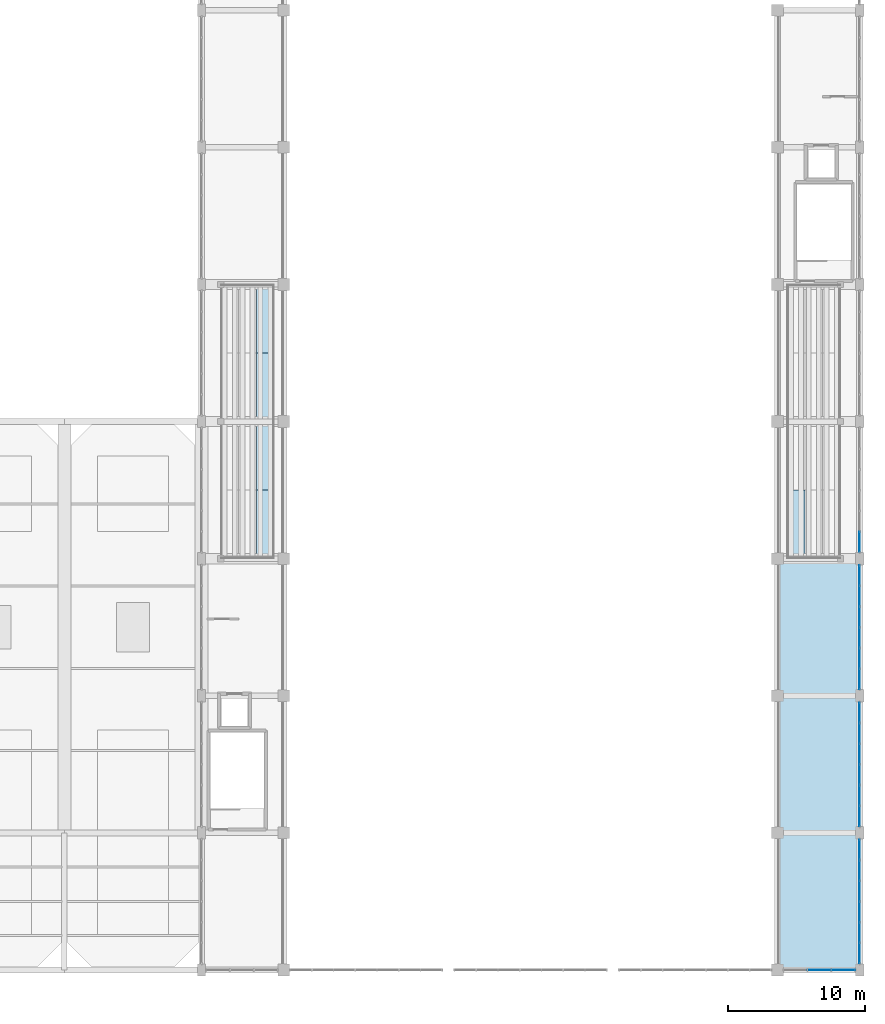
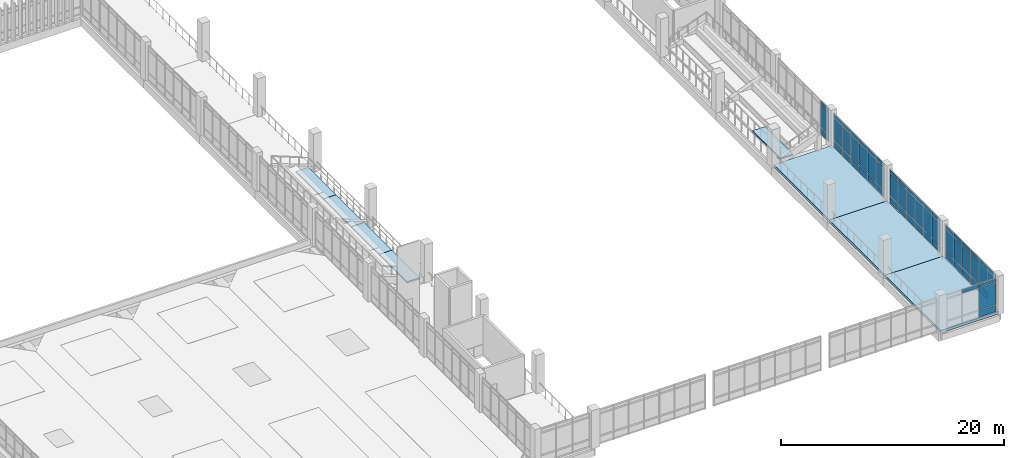
# One storey, part 137 of 161: 61 plates, 8 slabs, 5 elements without a shape of their own.
"""IFC4 building model written with IfcOpenShell, lengths in metres."""

from ifc_helpers import new_model, si_unit, direction, frame, origin, origin_2d, place, context, subcontext, project, spatial, polyline, rectangle, outline, extrude, material, layer, layer_set, type_object, element, aggregate, save


model = new_model("IFC4")

# Units and contexts
model_context = context("Model", 3, precision=1e-05, world=origin(), true_north=direction((0.0, 1.0)))
body_context = subcontext(model_context, "Body", "Model", "MODEL_VIEW")
ifc_project = project(units=[si_unit("LENGTHUNIT", "METRE"), si_unit("AREAUNIT", "SQUARE_METRE"), si_unit("VOLUMEUNIT", "CUBIC_METRE"), si_unit("PLANEANGLEUNIT", "RADIAN"), si_unit("MASSUNIT", "GRAM", prefix="KILO")], contexts=[model_context])

# Site, building, storey
site_placement = place(None, origin())
site = spatial("IfcSite", under=ifc_project, at=site_placement, CompositionType="ELEMENT")
building_placement = place(site_placement, origin())
building = spatial("IfcBuilding", under=site, at=building_placement, Name="Mersad Railyard Sports Hall", CompositionType="ELEMENT")
storey_placement = place(building_placement, frame((0.0, 0.0, 4.800048828125)))
storey = spatial("IfcBuildingStorey", under=building, at=storey_placement, Name="L01", CompositionType="ELEMENT", Elevation=4.800048828125)

# Curtain wall, plates
ifc_material_1 = material(Name="Aluminium 6063-T6", Category="aluminium")
ifc_layer_1 = layer(ifc_material_1, 0.199951171875)
ifc_layer_set_1 = layer_set([ifc_layer_1], Name="Aluminium 6063-T6")
curtain_wall_type_1 = type_object("IfcCurtainWallType", Name="ARC-CW-CW09", PredefinedType="USERDEFINED", material=ifc_layer_set_1)
curtain_wall_1_placement = place(storey_placement, origin())
curtain_wall_1 = element("IfcCurtainWall", 1, at=curtain_wall_1_placement, inside=storey, type_object=curtain_wall_type_1, Name="Curtain wall CW09-0043", ObjectType="CURTAIN WALL", PredefinedType="USERDEFINED")
ifc_material_2 = material(Name="Solar-control glass", Category="glass")
ifc_layer_2 = layer(ifc_material_2, 0.028076171875)
ifc_layer_set_2 = layer_set([ifc_layer_2], Name="Solar-control glass")
plate_type = type_object("IfcPlateType", Name="ARC-CW-PNL01", PredefinedType="CURTAIN_PANEL", material=ifc_layer_set_2)
plate_1_placement = place(storey_placement, frame((177.8076171875, 3.5, 0.0849609375), z_axis=(0.0, 0.0, 1.0), x_axis=(-1.0, 0.0, 0.0)))
plate_1 = element("IfcPlate", 2, at=plate_1_placement, type_object=plate_type, Name="CW09 Glazed panel 1-1", PredefinedType="CURTAIN_PANEL", context=body_context, shape_type="SweptSolid", body=[
    extrude(rectangle(XDim=1.700927734375, YDim=0.028076171875, at=origin_2d()), origin(), (0.0, 0.0, 1.0), 0.719970703125),
])
plate_2_placement = place(storey_placement, frame((177.8076171875, 3.5, 0.89501953125), z_axis=(0.0, 0.0, 1.0), x_axis=(-1.0, 0.0, 0.0)))
plate_2 = element("IfcPlate", 3, at=plate_2_placement, type_object=plate_type, Name="CW09 Glazed panel 1-2", PredefinedType="CURTAIN_PANEL", context=body_context, shape_type="SweptSolid", body=[
    extrude(rectangle(XDim=1.700927734375, YDim=0.028076171875, at=origin_2d()), origin(), (0.0, 0.0, 1.0), 2.360107421875),
])
plate_3_placement = place(storey_placement, frame((177.8076171875, 3.5, 3.344970703125), z_axis=(0.0, 0.0, 1.0), x_axis=(-1.0, 0.0, 0.0)))
plate_3 = element("IfcPlate", 4, at=plate_3_placement, type_object=plate_type, Name="CW09 Glazed panel 1-3", PredefinedType="CURTAIN_PANEL", context=body_context, shape_type="SweptSolid", body=[
    extrude(rectangle(XDim=1.700927734375, YDim=0.028076171875, at=origin_2d()), origin(), (0.0, 0.0, 1.0), 0.35009765625),
])
plate_4_placement = place(storey_placement, frame((176.0625, 3.5, 3.344970703125), z_axis=(0.0, 0.0, 1.0), x_axis=(-1.0, 0.0, 0.0)))
plate_4 = element("IfcPlate", 5, at=plate_4_placement, type_object=plate_type, Name="CW09 Glazed panel 2-3", PredefinedType="CURTAIN_PANEL", context=body_context, shape_type="SweptSolid", body=[
    extrude(rectangle(XDim=1.700927734375, YDim=0.028076171875, at=origin_2d()), origin(), (0.0, 0.0, 1.0), 0.35009765625),
])
aggregate(curtain_wall_1, [plate_1, plate_2, plate_3, plate_4])

ifc_layer_3 = layer(ifc_material_1, 0.159912109375)
ifc_layer_set_3 = layer_set([ifc_layer_3], Name="Aluminium 6063-T6")
curtain_wall_type_2 = type_object("IfcCurtainWallType", Name="ARC-CW-CW14", PredefinedType="USERDEFINED", material=ifc_layer_set_3)
curtain_wall_2_placement = place(storey_placement, origin())
curtain_wall_2 = element("IfcCurtainWall", 6, at=curtain_wall_2_placement, inside=storey, type_object=curtain_wall_type_2, Name="Curtain wall CW14-0044", ObjectType="CURTAIN WALL", PredefinedType="USERDEFINED")
plate_5_placement = place(storey_placement, frame((179.0, 12.27490234375, 0.0849609375), z_axis=(0.0, 0.0, 1.0), x_axis=(0.0, -1.0, 0.0)))
plate_5 = element("IfcPlate", 7, at=plate_5_placement, type_object=plate_type, Name="CW14 Glazed panel 1-1", PredefinedType="CURTAIN_PANEL", context=body_context, shape_type="SweptSolid", body=[
    extrude(rectangle(XDim=1.466064453125, YDim=0.028076171875, at=origin_2d()), origin(), (0.0, 0.0, 1.0), 0.719970703125),
])
plate_6_placement = place(storey_placement, frame((179.0, 12.27490234375, 0.89501953125), z_axis=(0.0, 0.0, 1.0), x_axis=(0.0, -1.0, 0.0)))
plate_6 = element("IfcPlate", 8, at=plate_6_placement, type_object=plate_type, Name="CW14 Glazed panel 1-2", PredefinedType="CURTAIN_PANEL", context=body_context, shape_type="SweptSolid", body=[
    extrude(rectangle(XDim=1.466064453125, YDim=0.028076171875, at=origin_2d()), origin(), (0.0, 0.0, 1.0), 2.409912109375),
])
plate_7_placement = place(storey_placement, frame((179.0, 12.27490234375, 3.39501953125), z_axis=(0.0, 0.0, 1.0), x_axis=(0.0, -1.0, 0.0)))
plate_7 = element("IfcPlate", 9, at=plate_7_placement, type_object=plate_type, Name="CW14 Glazed panel 1-3", PredefinedType="CURTAIN_PANEL", context=body_context, shape_type="SweptSolid", body=[
    extrude(rectangle(XDim=1.466064453125, YDim=0.028076171875, at=origin_2d()), origin(), (0.0, 0.0, 1.0), 0.35009765625),
])
plate_8_placement = place(storey_placement, frame((179.0, 10.764892578125, 0.0849609375), z_axis=(0.0, 0.0, 1.0), x_axis=(0.0, -1.0, 0.0)))
plate_8 = element("IfcPlate", 10, at=plate_8_placement, type_object=plate_type, Name="CW14 Glazed panel 2-1", PredefinedType="CURTAIN_PANEL", context=body_context, shape_type="SweptSolid", body=[
    extrude(rectangle(XDim=1.466064453125, YDim=0.028076171875, at=origin_2d()), origin(), (0.0, 0.0, 1.0), 0.719970703125),
])
plate_9_placement = place(storey_placement, frame((179.0, 10.764892578125, 0.89501953125), z_axis=(0.0, 0.0, 1.0), x_axis=(0.0, -1.0, 0.0)))
plate_9 = element("IfcPlate", 11, at=plate_9_placement, type_object=plate_type, Name="CW14 Glazed panel 2-2", PredefinedType="CURTAIN_PANEL", context=body_context, shape_type="SweptSolid", body=[
    extrude(rectangle(XDim=1.466064453125, YDim=0.028076171875, at=origin_2d()), origin(), (0.0, 0.0, 1.0), 2.409912109375),
])
plate_10_placement = place(storey_placement, frame((179.0, 10.764892578125, 3.39501953125), z_axis=(0.0, 0.0, 1.0), x_axis=(0.0, -1.0, 0.0)))
plate_10 = element("IfcPlate", 12, at=plate_10_placement, type_object=plate_type, Name="CW14 Glazed panel 2-3", PredefinedType="CURTAIN_PANEL", context=body_context, shape_type="SweptSolid", body=[
    extrude(rectangle(XDim=1.466064453125, YDim=0.028076171875, at=origin_2d()), origin(), (0.0, 0.0, 1.0), 0.35009765625),
])
plate_11_placement = place(storey_placement, frame((179.0, 9.2548828125, 0.0849609375), z_axis=(0.0, 0.0, 1.0), x_axis=(0.0, -1.0, 0.0)))
plate_11 = element("IfcPlate", 13, at=plate_11_placement, type_object=plate_type, Name="CW14 Glazed panel 3-1", PredefinedType="CURTAIN_PANEL", context=body_context, shape_type="SweptSolid", body=[
    extrude(rectangle(XDim=1.466064453125, YDim=0.028076171875, at=origin_2d()), origin(), (0.0, 0.0, 1.0), 0.719970703125),
])
plate_12_placement = place(storey_placement, frame((179.0, 9.2548828125, 0.89501953125), z_axis=(0.0, 0.0, 1.0), x_axis=(0.0, -1.0, 0.0)))
plate_12 = element("IfcPlate", 14, at=plate_12_placement, type_object=plate_type, Name="CW14 Glazed panel 3-2", PredefinedType="CURTAIN_PANEL", context=body_context, shape_type="SweptSolid", body=[
    extrude(rectangle(XDim=1.466064453125, YDim=0.028076171875, at=origin_2d()), origin(), (0.0, 0.0, 1.0), 2.409912109375),
])
plate_13_placement = place(storey_placement, frame((179.0, 9.2548828125, 3.39501953125), z_axis=(0.0, 0.0, 1.0), x_axis=(0.0, -1.0, 0.0)))
plate_13 = element("IfcPlate", 15, at=plate_13_placement, type_object=plate_type, Name="CW14 Glazed panel 3-3", PredefinedType="CURTAIN_PANEL", context=body_context, shape_type="SweptSolid", body=[
    extrude(rectangle(XDim=1.466064453125, YDim=0.028076171875, at=origin_2d()), origin(), (0.0, 0.0, 1.0), 0.35009765625),
])
plate_14_placement = place(storey_placement, frame((179.0, 7.7451171875, 0.0849609375), z_axis=(0.0, 0.0, 1.0), x_axis=(0.0, -1.0, 0.0)))
plate_14 = element("IfcPlate", 16, at=plate_14_placement, type_object=plate_type, Name="CW14 Glazed panel 4-1", PredefinedType="CURTAIN_PANEL", context=body_context, shape_type="SweptSolid", body=[
    extrude(rectangle(XDim=1.466064453125, YDim=0.028076171875, at=origin_2d()), origin(), (0.0, 0.0, 1.0), 0.719970703125),
])
plate_15_placement = place(storey_placement, frame((179.0, 7.7451171875, 0.89501953125), z_axis=(0.0, 0.0, 1.0), x_axis=(0.0, -1.0, 0.0)))
plate_15 = element("IfcPlate", 17, at=plate_15_placement, type_object=plate_type, Name="CW14 Glazed panel 4-2", PredefinedType="CURTAIN_PANEL", context=body_context, shape_type="SweptSolid", body=[
    extrude(rectangle(XDim=1.466064453125, YDim=0.028076171875, at=origin_2d()), origin(), (0.0, 0.0, 1.0), 2.409912109375),
])
plate_16_placement = place(storey_placement, frame((179.0, 7.7451171875, 3.39501953125), z_axis=(0.0, 0.0, 1.0), x_axis=(0.0, -1.0, 0.0)))
plate_16 = element("IfcPlate", 18, at=plate_16_placement, type_object=plate_type, Name="CW14 Glazed panel 4-3", PredefinedType="CURTAIN_PANEL", context=body_context, shape_type="SweptSolid", body=[
    extrude(rectangle(XDim=1.466064453125, YDim=0.028076171875, at=origin_2d()), origin(), (0.0, 0.0, 1.0), 0.35009765625),
])
plate_17_placement = place(storey_placement, frame((179.0, 6.235107421875, 0.0849609375), z_axis=(0.0, 0.0, 1.0), x_axis=(0.0, -1.0, 0.0)))
plate_17 = element("IfcPlate", 19, at=plate_17_placement, type_object=plate_type, Name="CW14 Glazed panel 5-1", PredefinedType="CURTAIN_PANEL", context=body_context, shape_type="SweptSolid", body=[
    extrude(rectangle(XDim=1.466064453125, YDim=0.028076171875, at=origin_2d()), origin(), (0.0, 0.0, 1.0), 0.719970703125),
])
plate_18_placement = place(storey_placement, frame((179.0, 6.235107421875, 0.89501953125), z_axis=(0.0, 0.0, 1.0), x_axis=(0.0, -1.0, 0.0)))
plate_18 = element("IfcPlate", 20, at=plate_18_placement, type_object=plate_type, Name="CW14 Glazed panel 5-2", PredefinedType="CURTAIN_PANEL", context=body_context, shape_type="SweptSolid", body=[
    extrude(rectangle(XDim=1.466064453125, YDim=0.028076171875, at=origin_2d()), origin(), (0.0, 0.0, 1.0), 2.409912109375),
])
plate_19_placement = place(storey_placement, frame((179.0, 6.235107421875, 3.39501953125), z_axis=(0.0, 0.0, 1.0), x_axis=(0.0, -1.0, 0.0)))
plate_19 = element("IfcPlate", 21, at=plate_19_placement, type_object=plate_type, Name="CW14 Glazed panel 5-3", PredefinedType="CURTAIN_PANEL", context=body_context, shape_type="SweptSolid", body=[
    extrude(rectangle(XDim=1.466064453125, YDim=0.028076171875, at=origin_2d()), origin(), (0.0, 0.0, 1.0), 0.35009765625),
])
plate_20_placement = place(storey_placement, frame((179.0, 4.72509765625, 0.0849609375), z_axis=(0.0, 0.0, 1.0), x_axis=(0.0, -1.0, 0.0)))
plate_20 = element("IfcPlate", 22, at=plate_20_placement, type_object=plate_type, Name="CW14 Glazed panel 6-1", PredefinedType="CURTAIN_PANEL", context=body_context, shape_type="SweptSolid", body=[
    extrude(rectangle(XDim=1.466064453125, YDim=0.028076171875, at=origin_2d()), origin(), (0.0, 0.0, 1.0), 0.719970703125),
])
plate_21_placement = place(storey_placement, frame((179.0, 4.72509765625, 0.89501953125), z_axis=(0.0, 0.0, 1.0), x_axis=(0.0, -1.0, 0.0)))
plate_21 = element("IfcPlate", 23, at=plate_21_placement, type_object=plate_type, Name="CW14 Glazed panel 6-2", PredefinedType="CURTAIN_PANEL", context=body_context, shape_type="SweptSolid", body=[
    extrude(rectangle(XDim=1.466064453125, YDim=0.028076171875, at=origin_2d()), origin(), (0.0, 0.0, 1.0), 2.409912109375),
])
plate_22_placement = place(storey_placement, frame((179.0, 4.72509765625, 3.39501953125), z_axis=(0.0, 0.0, 1.0), x_axis=(0.0, -1.0, 0.0)))
plate_22 = element("IfcPlate", 24, at=plate_22_placement, type_object=plate_type, Name="CW14 Glazed panel 6-3", PredefinedType="CURTAIN_PANEL", context=body_context, shape_type="SweptSolid", body=[
    extrude(rectangle(XDim=1.466064453125, YDim=0.028076171875, at=origin_2d()), origin(), (0.0, 0.0, 1.0), 0.35009765625),
])
aggregate(curtain_wall_2, [plate_5, plate_6, plate_7, plate_8, plate_9, plate_10, plate_11, plate_12, plate_13, plate_14, plate_15, plate_16, plate_17, plate_18, plate_19, plate_20, plate_21, plate_22])

curtain_wall_3_placement = place(storey_placement, origin())
curtain_wall_3 = element("IfcCurtainWall", 25, at=curtain_wall_3_placement, inside=storey, type_object=curtain_wall_type_2, Name="Curtain wall CW14-0046", ObjectType="CURTAIN WALL", PredefinedType="USERDEFINED")
plate_23_placement = place(storey_placement, frame((179.0, 22.27490234375, 0.0849609375), z_axis=(0.0, 0.0, 1.0), x_axis=(0.0, -1.0, 0.0)))
plate_23 = element("IfcPlate", 26, at=plate_23_placement, type_object=plate_type, Name="CW14 Glazed panel 1-1", PredefinedType="CURTAIN_PANEL", context=body_context, shape_type="SweptSolid", body=[
    extrude(rectangle(XDim=1.466064453125, YDim=0.028076171875, at=origin_2d()), origin(), (0.0, 0.0, 1.0), 0.719970703125),
])
plate_24_placement = place(storey_placement, frame((179.0, 22.27490234375, 0.89501953125), z_axis=(0.0, 0.0, 1.0), x_axis=(0.0, -1.0, 0.0)))
plate_24 = element("IfcPlate", 27, at=plate_24_placement, type_object=plate_type, Name="CW14 Glazed panel 1-2", PredefinedType="CURTAIN_PANEL", context=body_context, shape_type="SweptSolid", body=[
    extrude(rectangle(XDim=1.466064453125, YDim=0.028076171875, at=origin_2d()), origin(), (0.0, 0.0, 1.0), 2.409912109375),
])
plate_25_placement = place(storey_placement, frame((179.0, 22.27490234375, 3.39501953125), z_axis=(0.0, 0.0, 1.0), x_axis=(0.0, -1.0, 0.0)))
plate_25 = element("IfcPlate", 28, at=plate_25_placement, type_object=plate_type, Name="CW14 Glazed panel 1-3", PredefinedType="CURTAIN_PANEL", context=body_context, shape_type="SweptSolid", body=[
    extrude(rectangle(XDim=1.466064453125, YDim=0.028076171875, at=origin_2d()), origin(), (0.0, 0.0, 1.0), 0.35009765625),
])
plate_26_placement = place(storey_placement, frame((179.0, 20.764892578125, 0.0849609375), z_axis=(0.0, 0.0, 1.0), x_axis=(0.0, -1.0, 0.0)))
plate_26 = element("IfcPlate", 29, at=plate_26_placement, type_object=plate_type, Name="CW14 Glazed panel 2-1", PredefinedType="CURTAIN_PANEL", context=body_context, shape_type="SweptSolid", body=[
    extrude(rectangle(XDim=1.466064453125, YDim=0.028076171875, at=origin_2d()), origin(), (0.0, 0.0, 1.0), 0.719970703125),
])
plate_27_placement = place(storey_placement, frame((179.0, 20.764892578125, 0.89501953125), z_axis=(0.0, 0.0, 1.0), x_axis=(0.0, -1.0, 0.0)))
plate_27 = element("IfcPlate", 30, at=plate_27_placement, type_object=plate_type, Name="CW14 Glazed panel 2-2", PredefinedType="CURTAIN_PANEL", context=body_context, shape_type="SweptSolid", body=[
    extrude(rectangle(XDim=1.466064453125, YDim=0.028076171875, at=origin_2d()), origin(), (0.0, 0.0, 1.0), 2.409912109375),
])
plate_28_placement = place(storey_placement, frame((179.0, 20.764892578125, 3.39501953125), z_axis=(0.0, 0.0, 1.0), x_axis=(0.0, -1.0, 0.0)))
plate_28 = element("IfcPlate", 31, at=plate_28_placement, type_object=plate_type, Name="CW14 Glazed panel 2-3", PredefinedType="CURTAIN_PANEL", context=body_context, shape_type="SweptSolid", body=[
    extrude(rectangle(XDim=1.466064453125, YDim=0.028076171875, at=origin_2d()), origin(), (0.0, 0.0, 1.0), 0.35009765625),
])
plate_29_placement = place(storey_placement, frame((179.0, 19.2548828125, 0.0849609375), z_axis=(0.0, 0.0, 1.0), x_axis=(0.0, -1.0, 0.0)))
plate_29 = element("IfcPlate", 32, at=plate_29_placement, type_object=plate_type, Name="CW14 Glazed panel 3-1", PredefinedType="CURTAIN_PANEL", context=body_context, shape_type="SweptSolid", body=[
    extrude(rectangle(XDim=1.466064453125, YDim=0.028076171875, at=origin_2d()), origin(), (0.0, 0.0, 1.0), 0.719970703125),
])
plate_30_placement = place(storey_placement, frame((179.0, 19.2548828125, 0.89501953125), z_axis=(0.0, 0.0, 1.0), x_axis=(0.0, -1.0, 0.0)))
plate_30 = element("IfcPlate", 33, at=plate_30_placement, type_object=plate_type, Name="CW14 Glazed panel 3-2", PredefinedType="CURTAIN_PANEL", context=body_context, shape_type="SweptSolid", body=[
    extrude(rectangle(XDim=1.466064453125, YDim=0.028076171875, at=origin_2d()), origin(), (0.0, 0.0, 1.0), 2.409912109375),
])
plate_31_placement = place(storey_placement, frame((179.0, 19.2548828125, 3.39501953125), z_axis=(0.0, 0.0, 1.0), x_axis=(0.0, -1.0, 0.0)))
plate_31 = element("IfcPlate", 34, at=plate_31_placement, type_object=plate_type, Name="CW14 Glazed panel 3-3", PredefinedType="CURTAIN_PANEL", context=body_context, shape_type="SweptSolid", body=[
    extrude(rectangle(XDim=1.466064453125, YDim=0.028076171875, at=origin_2d()), origin(), (0.0, 0.0, 1.0), 0.35009765625),
])
plate_32_placement = place(storey_placement, frame((179.0, 17.7451171875, 0.0849609375), z_axis=(0.0, 0.0, 1.0), x_axis=(0.0, -1.0, 0.0)))
plate_32 = element("IfcPlate", 35, at=plate_32_placement, type_object=plate_type, Name="CW14 Glazed panel 4-1", PredefinedType="CURTAIN_PANEL", context=body_context, shape_type="SweptSolid", body=[
    extrude(rectangle(XDim=1.466064453125, YDim=0.028076171875, at=origin_2d()), origin(), (0.0, 0.0, 1.0), 0.719970703125),
])
plate_33_placement = place(storey_placement, frame((179.0, 17.7451171875, 0.89501953125), z_axis=(0.0, 0.0, 1.0), x_axis=(0.0, -1.0, 0.0)))
plate_33 = element("IfcPlate", 36, at=plate_33_placement, type_object=plate_type, Name="CW14 Glazed panel 4-2", PredefinedType="CURTAIN_PANEL", context=body_context, shape_type="SweptSolid", body=[
    extrude(rectangle(XDim=1.466064453125, YDim=0.028076171875, at=origin_2d()), origin(), (0.0, 0.0, 1.0), 2.409912109375),
])
plate_34_placement = place(storey_placement, frame((179.0, 17.7451171875, 3.39501953125), z_axis=(0.0, 0.0, 1.0), x_axis=(0.0, -1.0, 0.0)))
plate_34 = element("IfcPlate", 37, at=plate_34_placement, type_object=plate_type, Name="CW14 Glazed panel 4-3", PredefinedType="CURTAIN_PANEL", context=body_context, shape_type="SweptSolid", body=[
    extrude(rectangle(XDim=1.466064453125, YDim=0.028076171875, at=origin_2d()), origin(), (0.0, 0.0, 1.0), 0.35009765625),
])
plate_35_placement = place(storey_placement, frame((179.0, 16.235107421875, 0.0849609375), z_axis=(0.0, 0.0, 1.0), x_axis=(0.0, -1.0, 0.0)))
plate_35 = element("IfcPlate", 38, at=plate_35_placement, type_object=plate_type, Name="CW14 Glazed panel 5-1", PredefinedType="CURTAIN_PANEL", context=body_context, shape_type="SweptSolid", body=[
    extrude(rectangle(XDim=1.466064453125, YDim=0.028076171875, at=origin_2d()), origin(), (0.0, 0.0, 1.0), 0.719970703125),
])
plate_36_placement = place(storey_placement, frame((179.0, 16.235107421875, 0.89501953125), z_axis=(0.0, 0.0, 1.0), x_axis=(0.0, -1.0, 0.0)))
plate_36 = element("IfcPlate", 39, at=plate_36_placement, type_object=plate_type, Name="CW14 Glazed panel 5-2", PredefinedType="CURTAIN_PANEL", context=body_context, shape_type="SweptSolid", body=[
    extrude(rectangle(XDim=1.466064453125, YDim=0.028076171875, at=origin_2d()), origin(), (0.0, 0.0, 1.0), 2.409912109375),
])
plate_37_placement = place(storey_placement, frame((179.0, 16.235107421875, 3.39501953125), z_axis=(0.0, 0.0, 1.0), x_axis=(0.0, -1.0, 0.0)))
plate_37 = element("IfcPlate", 40, at=plate_37_placement, type_object=plate_type, Name="CW14 Glazed panel 5-3", PredefinedType="CURTAIN_PANEL", context=body_context, shape_type="SweptSolid", body=[
    extrude(rectangle(XDim=1.466064453125, YDim=0.028076171875, at=origin_2d()), origin(), (0.0, 0.0, 1.0), 0.35009765625),
])
plate_38_placement = place(storey_placement, frame((179.0, 14.72509765625, 0.0849609375), z_axis=(0.0, 0.0, 1.0), x_axis=(0.0, -1.0, 0.0)))
plate_38 = element("IfcPlate", 41, at=plate_38_placement, type_object=plate_type, Name="CW14 Glazed panel 6-1", PredefinedType="CURTAIN_PANEL", context=body_context, shape_type="SweptSolid", body=[
    extrude(rectangle(XDim=1.466064453125, YDim=0.028076171875, at=origin_2d()), origin(), (0.0, 0.0, 1.0), 0.719970703125),
])
plate_39_placement = place(storey_placement, frame((179.0, 14.72509765625, 0.89501953125), z_axis=(0.0, 0.0, 1.0), x_axis=(0.0, -1.0, 0.0)))
plate_39 = element("IfcPlate", 42, at=plate_39_placement, type_object=plate_type, Name="CW14 Glazed panel 6-2", PredefinedType="CURTAIN_PANEL", context=body_context, shape_type="SweptSolid", body=[
    extrude(rectangle(XDim=1.466064453125, YDim=0.028076171875, at=origin_2d()), origin(), (0.0, 0.0, 1.0), 2.409912109375),
])
plate_40_placement = place(storey_placement, frame((179.0, 14.72509765625, 3.39501953125), z_axis=(0.0, 0.0, 1.0), x_axis=(0.0, -1.0, 0.0)))
plate_40 = element("IfcPlate", 43, at=plate_40_placement, type_object=plate_type, Name="CW14 Glazed panel 6-3", PredefinedType="CURTAIN_PANEL", context=body_context, shape_type="SweptSolid", body=[
    extrude(rectangle(XDim=1.466064453125, YDim=0.028076171875, at=origin_2d()), origin(), (0.0, 0.0, 1.0), 0.35009765625),
])
aggregate(curtain_wall_3, [plate_23, plate_24, plate_25, plate_26, plate_27, plate_28, plate_29, plate_30, plate_31, plate_32, plate_33, plate_34, plate_35, plate_36, plate_37, plate_38, plate_39, plate_40])

curtain_wall_4_placement = place(storey_placement, origin())
curtain_wall_4 = element("IfcCurtainWall", 44, at=curtain_wall_4_placement, inside=storey, type_object=curtain_wall_type_2, Name="Curtain wall CW14-0048", ObjectType="CURTAIN WALL", PredefinedType="USERDEFINED")
plate_41_placement = place(storey_placement, frame((179.0, 32.27490234375, 0.0849609375), z_axis=(0.0, 0.0, 1.0), x_axis=(0.0, -1.0, 0.0)))
plate_41 = element("IfcPlate", 45, at=plate_41_placement, type_object=plate_type, Name="CW14 Glazed panel 1-1", PredefinedType="CURTAIN_PANEL", context=body_context, shape_type="SweptSolid", body=[
    extrude(rectangle(XDim=1.466064453125, YDim=0.028076171875, at=origin_2d()), origin(), (0.0, 0.0, 1.0), 0.719970703125),
])
plate_42_placement = place(storey_placement, frame((179.0, 32.27490234375, 0.89501953125), z_axis=(0.0, 0.0, 1.0), x_axis=(0.0, -1.0, 0.0)))
plate_42 = element("IfcPlate", 46, at=plate_42_placement, type_object=plate_type, Name="CW14 Glazed panel 1-2", PredefinedType="CURTAIN_PANEL", context=body_context, shape_type="SweptSolid", body=[
    extrude(rectangle(XDim=1.466064453125, YDim=0.028076171875, at=origin_2d()), origin(), (0.0, 0.0, 1.0), 2.409912109375),
])
plate_43_placement = place(storey_placement, frame((179.0, 32.27490234375, 3.39501953125), z_axis=(0.0, 0.0, 1.0), x_axis=(0.0, -1.0, 0.0)))
plate_43 = element("IfcPlate", 47, at=plate_43_placement, type_object=plate_type, Name="CW14 Glazed panel 1-3", PredefinedType="CURTAIN_PANEL", context=body_context, shape_type="SweptSolid", body=[
    extrude(rectangle(XDim=1.466064453125, YDim=0.028076171875, at=origin_2d()), origin(), (0.0, 0.0, 1.0), 0.35009765625),
])
plate_44_placement = place(storey_placement, frame((179.0, 30.764892578125, 0.0849609375), z_axis=(0.0, 0.0, 1.0), x_axis=(0.0, -1.0, 0.0)))
plate_44 = element("IfcPlate", 48, at=plate_44_placement, type_object=plate_type, Name="CW14 Glazed panel 2-1", PredefinedType="CURTAIN_PANEL", context=body_context, shape_type="SweptSolid", body=[
    extrude(rectangle(XDim=1.466064453125, YDim=0.028076171875, at=origin_2d()), origin(), (0.0, 0.0, 1.0), 0.719970703125),
])
plate_45_placement = place(storey_placement, frame((179.0, 30.764892578125, 0.89501953125), z_axis=(0.0, 0.0, 1.0), x_axis=(0.0, -1.0, 0.0)))
plate_45 = element("IfcPlate", 49, at=plate_45_placement, type_object=plate_type, Name="CW14 Glazed panel 2-2", PredefinedType="CURTAIN_PANEL", context=body_context, shape_type="SweptSolid", body=[
    extrude(rectangle(XDim=1.466064453125, YDim=0.028076171875, at=origin_2d()), origin(), (0.0, 0.0, 1.0), 2.409912109375),
])
plate_46_placement = place(storey_placement, frame((179.0, 30.764892578125, 3.39501953125), z_axis=(0.0, 0.0, 1.0), x_axis=(0.0, -1.0, 0.0)))
plate_46 = element("IfcPlate", 50, at=plate_46_placement, type_object=plate_type, Name="CW14 Glazed panel 2-3", PredefinedType="CURTAIN_PANEL", context=body_context, shape_type="SweptSolid", body=[
    extrude(rectangle(XDim=1.466064453125, YDim=0.028076171875, at=origin_2d()), origin(), (0.0, 0.0, 1.0), 0.35009765625),
])
plate_47_placement = place(storey_placement, frame((179.0, 29.2548828125, 0.0849609375), z_axis=(0.0, 0.0, 1.0), x_axis=(0.0, -1.0, 0.0)))
plate_47 = element("IfcPlate", 51, at=plate_47_placement, type_object=plate_type, Name="CW14 Glazed panel 3-1", PredefinedType="CURTAIN_PANEL", context=body_context, shape_type="SweptSolid", body=[
    extrude(rectangle(XDim=1.466064453125, YDim=0.028076171875, at=origin_2d()), origin(), (0.0, 0.0, 1.0), 0.719970703125),
])
plate_48_placement = place(storey_placement, frame((179.0, 29.2548828125, 0.89501953125), z_axis=(0.0, 0.0, 1.0), x_axis=(0.0, -1.0, 0.0)))
plate_48 = element("IfcPlate", 52, at=plate_48_placement, type_object=plate_type, Name="CW14 Glazed panel 3-2", PredefinedType="CURTAIN_PANEL", context=body_context, shape_type="SweptSolid", body=[
    extrude(rectangle(XDim=1.466064453125, YDim=0.028076171875, at=origin_2d()), origin(), (0.0, 0.0, 1.0), 2.409912109375),
])
plate_49_placement = place(storey_placement, frame((179.0, 29.2548828125, 3.39501953125), z_axis=(0.0, 0.0, 1.0), x_axis=(0.0, -1.0, 0.0)))
plate_49 = element("IfcPlate", 53, at=plate_49_placement, type_object=plate_type, Name="CW14 Glazed panel 3-3", PredefinedType="CURTAIN_PANEL", context=body_context, shape_type="SweptSolid", body=[
    extrude(rectangle(XDim=1.466064453125, YDim=0.028076171875, at=origin_2d()), origin(), (0.0, 0.0, 1.0), 0.35009765625),
])
plate_50_placement = place(storey_placement, frame((179.0, 27.7451171875, 0.0849609375), z_axis=(0.0, 0.0, 1.0), x_axis=(0.0, -1.0, 0.0)))
plate_50 = element("IfcPlate", 54, at=plate_50_placement, type_object=plate_type, Name="CW14 Glazed panel 4-1", PredefinedType="CURTAIN_PANEL", context=body_context, shape_type="SweptSolid", body=[
    extrude(rectangle(XDim=1.466064453125, YDim=0.028076171875, at=origin_2d()), origin(), (0.0, 0.0, 1.0), 0.719970703125),
])
plate_51_placement = place(storey_placement, frame((179.0, 27.7451171875, 0.89501953125), z_axis=(0.0, 0.0, 1.0), x_axis=(0.0, -1.0, 0.0)))
plate_51 = element("IfcPlate", 55, at=plate_51_placement, type_object=plate_type, Name="CW14 Glazed panel 4-2", PredefinedType="CURTAIN_PANEL", context=body_context, shape_type="SweptSolid", body=[
    extrude(rectangle(XDim=1.466064453125, YDim=0.028076171875, at=origin_2d()), origin(), (0.0, 0.0, 1.0), 2.409912109375),
])
plate_52_placement = place(storey_placement, frame((179.0, 27.7451171875, 3.39501953125), z_axis=(0.0, 0.0, 1.0), x_axis=(0.0, -1.0, 0.0)))
plate_52 = element("IfcPlate", 56, at=plate_52_placement, type_object=plate_type, Name="CW14 Glazed panel 4-3", PredefinedType="CURTAIN_PANEL", context=body_context, shape_type="SweptSolid", body=[
    extrude(rectangle(XDim=1.466064453125, YDim=0.028076171875, at=origin_2d()), origin(), (0.0, 0.0, 1.0), 0.35009765625),
])
plate_53_placement = place(storey_placement, frame((179.0, 26.235107421875, 0.0849609375), z_axis=(0.0, 0.0, 1.0), x_axis=(0.0, -1.0, 0.0)))
plate_53 = element("IfcPlate", 57, at=plate_53_placement, type_object=plate_type, Name="CW14 Glazed panel 5-1", PredefinedType="CURTAIN_PANEL", context=body_context, shape_type="SweptSolid", body=[
    extrude(rectangle(XDim=1.466064453125, YDim=0.028076171875, at=origin_2d()), origin(), (0.0, 0.0, 1.0), 0.719970703125),
])
plate_54_placement = place(storey_placement, frame((179.0, 26.235107421875, 0.89501953125), z_axis=(0.0, 0.0, 1.0), x_axis=(0.0, -1.0, 0.0)))
plate_54 = element("IfcPlate", 58, at=plate_54_placement, type_object=plate_type, Name="CW14 Glazed panel 5-2", PredefinedType="CURTAIN_PANEL", context=body_context, shape_type="SweptSolid", body=[
    extrude(rectangle(XDim=1.466064453125, YDim=0.028076171875, at=origin_2d()), origin(), (0.0, 0.0, 1.0), 2.409912109375),
])
plate_55_placement = place(storey_placement, frame((179.0, 26.235107421875, 3.39501953125), z_axis=(0.0, 0.0, 1.0), x_axis=(0.0, -1.0, 0.0)))
plate_55 = element("IfcPlate", 59, at=plate_55_placement, type_object=plate_type, Name="CW14 Glazed panel 5-3", PredefinedType="CURTAIN_PANEL", context=body_context, shape_type="SweptSolid", body=[
    extrude(rectangle(XDim=1.466064453125, YDim=0.028076171875, at=origin_2d()), origin(), (0.0, 0.0, 1.0), 0.35009765625),
])
plate_56_placement = place(storey_placement, frame((179.0, 24.72509765625, 0.0849609375), z_axis=(0.0, 0.0, 1.0), x_axis=(0.0, -1.0, 0.0)))
plate_56 = element("IfcPlate", 60, at=plate_56_placement, type_object=plate_type, Name="CW14 Glazed panel 6-1", PredefinedType="CURTAIN_PANEL", context=body_context, shape_type="SweptSolid", body=[
    extrude(rectangle(XDim=1.466064453125, YDim=0.028076171875, at=origin_2d()), origin(), (0.0, 0.0, 1.0), 0.719970703125),
])
plate_57_placement = place(storey_placement, frame((179.0, 24.72509765625, 0.89501953125), z_axis=(0.0, 0.0, 1.0), x_axis=(0.0, -1.0, 0.0)))
plate_57 = element("IfcPlate", 61, at=plate_57_placement, type_object=plate_type, Name="CW14 Glazed panel 6-2", PredefinedType="CURTAIN_PANEL", context=body_context, shape_type="SweptSolid", body=[
    extrude(rectangle(XDim=1.466064453125, YDim=0.028076171875, at=origin_2d()), origin(), (0.0, 0.0, 1.0), 2.409912109375),
])
plate_58_placement = place(storey_placement, frame((179.0, 24.72509765625, 3.39501953125), z_axis=(0.0, 0.0, 1.0), x_axis=(0.0, -1.0, 0.0)))
plate_58 = element("IfcPlate", 62, at=plate_58_placement, type_object=plate_type, Name="CW14 Glazed panel 6-3", PredefinedType="CURTAIN_PANEL", context=body_context, shape_type="SweptSolid", body=[
    extrude(rectangle(XDim=1.466064453125, YDim=0.028076171875, at=origin_2d()), origin(), (0.0, 0.0, 1.0), 0.35009765625),
])
aggregate(curtain_wall_4, [plate_41, plate_42, plate_43, plate_44, plate_45, plate_46, plate_47, plate_48, plate_49, plate_50, plate_51, plate_52, plate_53, plate_54, plate_55, plate_56, plate_57, plate_58])

curtain_wall_5_placement = place(storey_placement, origin())
curtain_wall_5 = element("IfcCurtainWall", 63, at=curtain_wall_5_placement, inside=storey, type_object=curtain_wall_type_2, Name="Curtain wall CW14-0050", ObjectType="CURTAIN WALL", PredefinedType="USERDEFINED")
plate_59_placement = place(storey_placement, frame((179.0, 34.72509765625, 0.0849609375), z_axis=(0.0, 0.0, 1.0), x_axis=(0.0, -1.0, 0.0)))
plate_59 = element("IfcPlate", 64, at=plate_59_placement, type_object=plate_type, Name="CW14 Glazed panel 6-1", PredefinedType="CURTAIN_PANEL", context=body_context, shape_type="SweptSolid", body=[
    extrude(rectangle(XDim=1.466064453125, YDim=0.028076171875, at=origin_2d()), origin(), (0.0, 0.0, 1.0), 0.719970703125),
])
plate_60_placement = place(storey_placement, frame((179.0, 34.72509765625, 0.89501953125), z_axis=(0.0, 0.0, 1.0), x_axis=(0.0, -1.0, 0.0)))
plate_60 = element("IfcPlate", 65, at=plate_60_placement, type_object=plate_type, Name="CW14 Glazed panel 6-2", PredefinedType="CURTAIN_PANEL", context=body_context, shape_type="SweptSolid", body=[
    extrude(rectangle(XDim=1.466064453125, YDim=0.028076171875, at=origin_2d()), origin(), (0.0, 0.0, 1.0), 2.409912109375),
])
plate_61_placement = place(storey_placement, frame((179.0, 34.72509765625, 3.39501953125), z_axis=(0.0, 0.0, 1.0), x_axis=(0.0, -1.0, 0.0)))
plate_61 = element("IfcPlate", 66, at=plate_61_placement, type_object=plate_type, Name="CW14 Glazed panel 6-3", PredefinedType="CURTAIN_PANEL", context=body_context, shape_type="SweptSolid", body=[
    extrude(rectangle(XDim=1.466064453125, YDim=0.028076171875, at=origin_2d()), origin(), (0.0, 0.0, 1.0), 0.35009765625),
])
aggregate(curtain_wall_5, [plate_59, plate_60, plate_61])

# Slabs
ifc_material_3 = material(Name="Concrete C40/50", Category="concrete")
ifc_layer_4 = layer(ifc_material_3, 0.280029296875)
ifc_layer_set_4 = layer_set([ifc_layer_4], Name="Concrete C40/50")
slab_type_1 = type_object("IfcSlabType", Name="STR-SL-FL02", PredefinedType="FLOOR", material=ifc_layer_set_4)
slab_1_placement = place(storey_placement, frame((0.0, 0.0, -0.280029296875)))
element("IfcSlab", 67, at=slab_1_placement, inside=storey, type_object=slab_type_1, Name="Slab SL02-0056", PredefinedType="FLOOR", context=body_context, shape_type="SweptSolid", body=[
    extrude(outline(polyline([(173.0, 3.5), (179.0, 3.5), (179.0, 13.5), (173.0, 13.5), (173.0, 3.5)])), origin(), (0.0, 0.0, 1.0), 0.280029296875),
])
slab_2_placement = place(storey_placement, frame((0.0, 0.0, -0.280029296875)))
element("IfcSlab", 68, at=slab_2_placement, inside=storey, type_object=slab_type_1, Name="Slab SL02-0058", PredefinedType="FLOOR", context=body_context, shape_type="SweptSolid", body=[
    extrude(outline(polyline([(173.0, 13.5), (179.0, 13.5), (179.0, 23.5), (173.0, 23.5), (173.0, 13.5)])), origin(), (0.0, 0.0, 1.0), 0.280029296875),
])
slab_3_placement = place(storey_placement, frame((0.0, 0.0, -0.280029296875)))
element("IfcSlab", 69, at=slab_3_placement, inside=storey, type_object=slab_type_1, Name="Slab SL02-0060", PredefinedType="FLOOR", context=body_context, shape_type="SweptSolid", body=[
    extrude(outline(polyline([(173.0, 23.5), (179.0, 23.5), (179.0, 33.5), (173.0, 33.5), (173.0, 23.5)])), origin(), (0.0, 0.0, 1.0), 0.280029296875),
])
ifc_material_4 = material(Name="Precast concrete C45/55", Category="concrete")
ifc_layer_5 = layer(ifc_material_4, 0.159912109375)
ifc_layer_set_5 = layer_set([ifc_layer_5], Name="Precast concrete C45/55")
slab_type_2 = type_object("IfcSlabType", Name="STR-SL-ST01", PredefinedType="USERDEFINED", material=ifc_layer_set_5)
slab_4_placement = place(storey_placement, frame((0.0, 0.0, 0.2900390625)))
element("IfcSlab", 70, at=slab_4_placement, inside=storey, type_object=slab_type_2, Name="Stand upper tier west step 4", ObjectType="SEATING TIER", PredefinedType="USERDEFINED", context=body_context, shape_type="SweptSolid", body=[
    extrude(outline(polyline([(135.0, 33.5), (136.300048828125, 33.5), (136.300048828125, 38.5), (135.0, 38.5), (135.0, 33.5)])), origin(), (0.0, 0.0, 1.0), 0.159912109375),
])
slab_5_placement = place(storey_placement, frame((0.0, 0.0, 0.2900390625)))
element("IfcSlab", 71, at=slab_5_placement, inside=storey, type_object=slab_type_2, Name="Stand upper tier east step 4", ObjectType="SEATING TIER", PredefinedType="USERDEFINED", context=body_context, shape_type="SweptSolid", body=[
    extrude(outline(polyline([(173.699951171875, 33.5), (175.0, 33.5), (175.0, 38.5), (173.699951171875, 38.5), (173.699951171875, 33.5)])), origin(), (0.0, 0.0, 1.0), 0.159912109375),
])
slab_6_placement = place(storey_placement, frame((0.0, 0.0, 0.2900390625)))
element("IfcSlab", 72, at=slab_6_placement, inside=storey, type_object=slab_type_2, Name="Stand upper tier west step 10", ObjectType="SEATING TIER", PredefinedType="USERDEFINED", context=body_context, shape_type="SweptSolid", body=[
    extrude(outline(polyline([(135.0, 38.5), (136.300048828125, 38.5), (136.300048828125, 43.5), (135.0, 43.5), (135.0, 38.5)])), origin(), (0.0, 0.0, 1.0), 0.159912109375),
])
slab_7_placement = place(storey_placement, frame((0.0, 0.0, 0.2900390625)))
element("IfcSlab", 73, at=slab_7_placement, inside=storey, type_object=slab_type_2, Name="Stand upper tier west step 16", ObjectType="SEATING TIER", PredefinedType="USERDEFINED", context=body_context, shape_type="SweptSolid", body=[
    extrude(outline(polyline([(135.0, 43.5), (136.300048828125, 43.5), (136.300048828125, 48.5), (135.0, 48.5), (135.0, 43.5)])), origin(), (0.0, 0.0, 1.0), 0.159912109375),
])
slab_8_placement = place(storey_placement, frame((0.0, 0.0, 0.2900390625)))
element("IfcSlab", 74, at=slab_8_placement, inside=storey, type_object=slab_type_2, Name="Stand upper tier west step 22", ObjectType="SEATING TIER", PredefinedType="USERDEFINED", context=body_context, shape_type="SweptSolid", body=[
    extrude(outline(polyline([(135.0, 48.5), (136.300048828125, 48.5), (136.300048828125, 53.5), (135.0, 53.5), (135.0, 48.5)])), origin(), (0.0, 0.0, 1.0), 0.159912109375),
])

save(model, "model.ifc")
